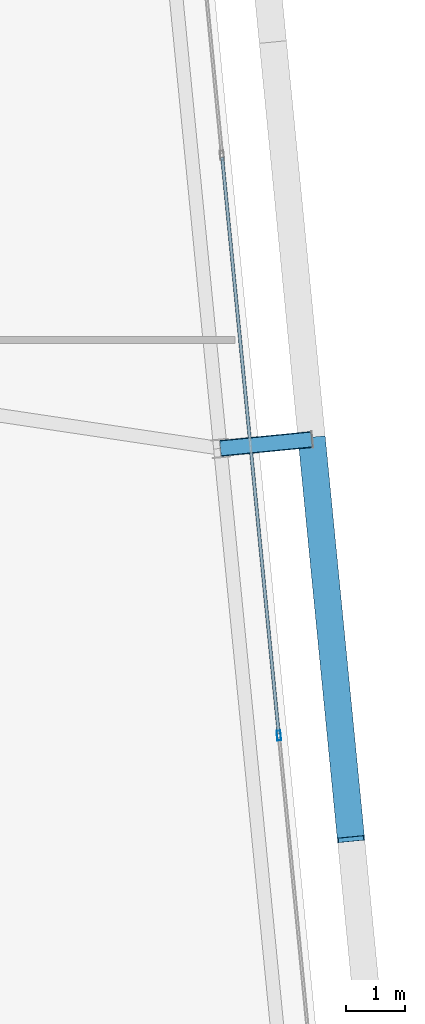
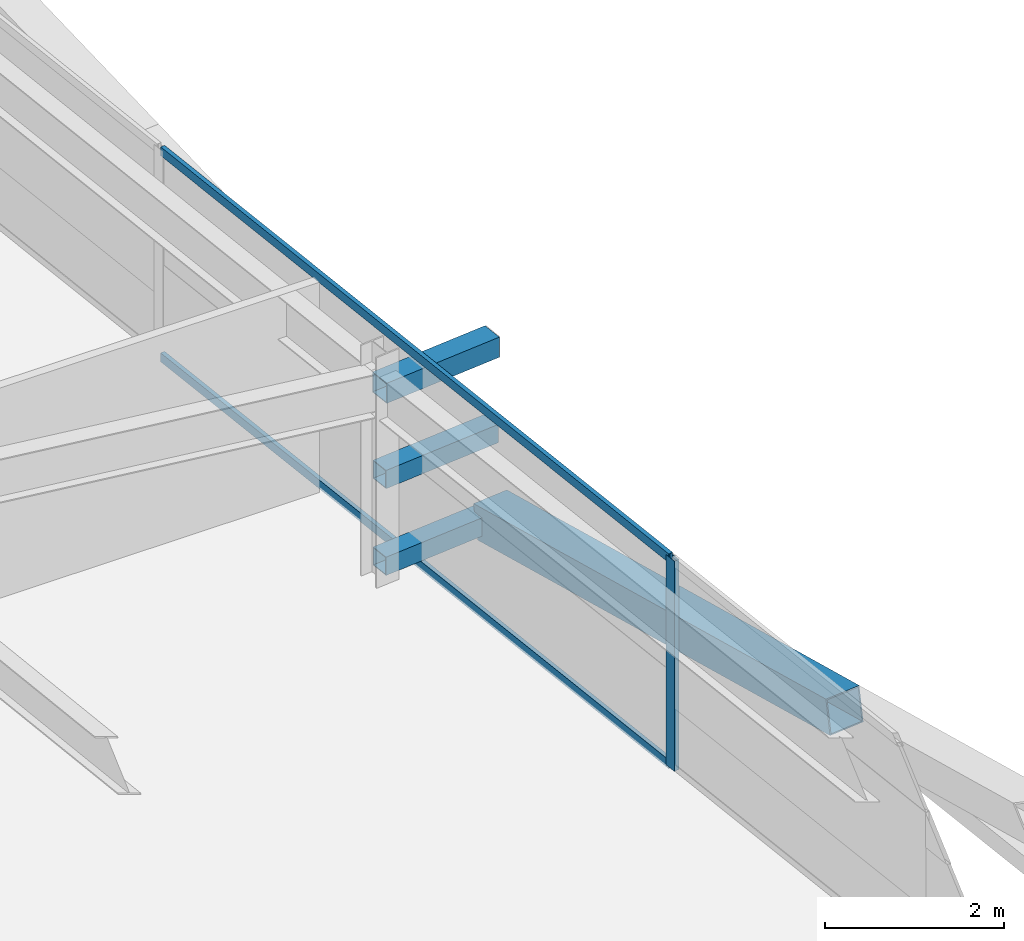
# One storey, part 21 of 47: 7 members, 1 element without a shape of its own.
"""IFC4 building model written with IfcOpenShell, lengths in metres."""

from ifc_helpers import new_model, si_unit, direction, frame, origin, origin_2d, place, context, subcontext, project, spatial, hollow_rectangle, extrude, source, transform, mapped, material, layer, layer_set, material_profile, profile_set, type_object, element, aggregate, save


model = new_model("IFC4")

# Units and contexts
model_context = context("Model", 3, precision=1e-05, world=origin(), true_north=direction((0.0, 1.0)))
body_context = subcontext(model_context, "Body", "Model", "MODEL_VIEW")
ifc_project = project(units=[si_unit("LENGTHUNIT", "METRE"), si_unit("AREAUNIT", "SQUARE_METRE"), si_unit("VOLUMEUNIT", "CUBIC_METRE"), si_unit("PLANEANGLEUNIT", "RADIAN"), si_unit("MASSUNIT", "GRAM", prefix="KILO")], contexts=[model_context])

# Site, building, storey
site_placement = place(None, origin())
site = spatial("IfcSite", under=ifc_project, at=site_placement, CompositionType="ELEMENT")
building_placement = place(site_placement, origin())
building = spatial("IfcBuilding", under=site, at=building_placement, Name="Taldren Reach Tower", CompositionType="ELEMENT")
storey_placement = place(building_placement, frame((0.0, 0.0, 109.199951171875)))
storey = spatial("IfcBuildingStorey", under=building, at=storey_placement, Name="L33", CompositionType="ELEMENT", Elevation=109.199951171875)

# Members
ifc_material_1 = material(Name="Steel Gr 450 (C450L0)", Category="steel")
ifc_material_profile_1 = material_profile(ifc_material_1, hollow_rectangle(XDim=0.27490234375, YDim=0.27490234375, WallThickness=0.00927734375, at=origin_2d()), Name="275x275x9.3SHS")
ifc_profile_set_1 = profile_set([ifc_material_profile_1], Name="Steel Gr 450 (C450L0)")
member_type_1 = type_object("IfcMemberType", Name="MB-TIE273", PredefinedType="STRUT", material=ifc_profile_set_1)
shared_shape_1 = source(origin(), body_context, "Body", "SweptSolid", [
    extrude(hollow_rectangle(XDim=0.27490234375, YDim=0.27490234375, WallThickness=0.00927734375, at=origin_2d()), origin(), (0.0, 0.0, 1.0), 1.5498046875),
])
member_1_placement = place(storey_placement, frame((64.569580078125, 21.968994140625, 2.590087890625), z_axis=(0.995234821595, 0.097507178627, 0.0), x_axis=(-0.097507178627, 0.995234821595, 0.0)))
element("IfcMember", 1, at=member_1_placement, inside=storey, type_object=member_type_1, Name="Exoskeleton diaphragm tie strut B2-E2 L33", PredefinedType="STRUT", context=body_context, shape_type="MappedRepresentation", body=[
    mapped(shared_shape_1, transform((0.0, 0.0, 0.0), scale=1.0)),
])
ifc_material_2 = material(Name="Steel Gr 350 (C350L0)", Category="steel")
ifc_material_profile_2 = material_profile(ifc_material_2, hollow_rectangle(XDim=0.25, YDim=0.25, WallThickness=0.010009765625, at=origin_2d()), Name="250x250x10.0SHS")
ifc_profile_set_2 = profile_set([ifc_material_profile_2], Name="Steel Gr 350 (C350L0)")
member_type_2 = type_object("IfcMemberType", Name="MB-POST250", PredefinedType="POST", material=ifc_profile_set_2)
shared_shape_2 = source(origin(), body_context, "Body", "SweptSolid", [
    extrude(hollow_rectangle(XDim=0.25, YDim=0.25, WallThickness=0.010009765625, at=origin_2d()), origin(), (0.0, 0.0, 1.0), 1.5498046875),
])
for number, where, z_axis, x_axis, name in (
    (2, (64.569580078125, 21.968994140625, 0.219970703125), (0.995234821595, 0.097507178627, 0.0), (-0.097507178627, 0.995234821595, 0.0), "Exoskeleton base diaphragm tie strut B2-E2 L33"),
    (3, (64.569580078125, 21.968994140625, 1.405029296875), (0.995234821595, 0.097507178627, 0.0), (-0.097507178627, 0.995234821595, 0.0), "Exoskeleton mid-tier diaphragm tie B2-E2 L33"),
):
    element("IfcMember", number, at=place(storey_placement, frame(where, z_axis=z_axis, x_axis=x_axis)), inside=storey, type_object=member_type_2, Name=name, PredefinedType="POST", context=body_context, shape_type="MappedRepresentation", body=[
        mapped(shared_shape_2, transform((0.0, 0.0, 0.0), scale=1.0)),
    ])
ifc_material_profile_3 = material_profile(ifc_material_1, hollow_rectangle(XDim=0.4599609375, YDim=0.4599609375, WallThickness=0.01611328125, at=origin_2d()), Name="460x460x16.0SHS")
ifc_profile_set_3 = profile_set([ifc_material_profile_3], Name="Steel Gr 450 (C450L0)")
member_type_3 = type_object("IfcMemberType", Name="MB-EXO457", PredefinedType="BRACE", material=ifc_profile_set_3)
shared_shape_3 = source(origin(), body_context, "Body", "SweptSolid", [
    extrude(hollow_rectangle(XDim=0.4599609375, YDim=0.4599609375, WallThickness=0.01611328125, at=origin_2d()), origin(), (0.0, 0.0, 1.0), 6.8779296875),
])
member_2_placement = place(storey_placement, frame((66.112060546875, 22.1201171875, 0.219970703125), z_axis=(0.096124602974, -0.980343162824, 0.172300156143), x_axis=(0.995227290009, 0.097584021339, 0.0)))
element("IfcMember", 4, at=member_2_placement, inside=storey, type_object=member_type_3, Name="Exoskeleton Diagrid Brace B2-E1 L33", PredefinedType="BRACE", context=body_context, shape_type="MappedRepresentation", body=[
    mapped(shared_shape_3, transform((0.0, 0.0, 0.0), scale=1.0)),
])

# Curtain wall, members
ifc_material_3 = material(Name="Aluminium and Low-E Glass Unitised System", Category="aluminium")
ifc_layer = layer(ifc_material_3, 0.159912109375)
ifc_layer_set = layer_set([ifc_layer], Name="Aluminium and Low-E Glass Unitised System")
curtain_wall_type = type_object("IfcCurtainWallType", Name="CW-SYS-3", PredefinedType="NOTDEFINED", material=ifc_layer_set)
curtain_wall_placement = place(storey_placement, origin())
curtain_wall = element("IfcCurtainWall", 5, at=curtain_wall_placement, inside=storey, type_object=curtain_wall_type, Name="Unitised curtain wall CW-L33-E", PredefinedType="NOTDEFINED")
ifc_material_4 = material(Name="Anodised Aluminium 6063-T6", Category="aluminium")
ifc_material_profile_4 = material_profile(ifc_material_4, hollow_rectangle(XDim=0.06494140625, YDim=0.1650390625, WallThickness=0.00390625, at=origin_2d()), Name="ALU-165x65x4RHS")
ifc_profile_set_4 = profile_set([ifc_material_profile_4], Name="Anodised Aluminium 6063-T6")
member_type_4 = type_object("IfcMemberType", Name="CW-MUL-165", PredefinedType="MULLION", material=ifc_profile_set_4)
shared_shape_4 = source(origin(), body_context, "Body", "SweptSolid", [
    extrude(hollow_rectangle(XDim=0.06494140625, YDim=0.1650390625, WallThickness=0.00390625, at=origin_2d()), origin(), (0.0, 0.0, 1.0), 2.8701171875),
])
member_3_placement = place(storey_placement, frame((65.556884765625, 17.12548828125, 0.0), z_axis=(0.0, 0.0, 1.0), x_axis=(-0.99522741555, -0.09758274098, 0.0)))
member_3 = element("IfcMember", 6, at=member_3_placement, type_object=member_type_4, Name="CW-3 mullion 2", PredefinedType="MULLION", context=body_context, shape_type="MappedRepresentation", body=[
    mapped(shared_shape_4, transform((0.0, 0.0, 0.0), scale=1.0)),
])
ifc_material_profile_5 = material_profile(ifc_material_4, hollow_rectangle(XDim=0.054931640625, YDim=0.1201171875, WallThickness=0.0029296875, at=origin_2d()), Name="ALU-120x55x3RHS")
ifc_profile_set_5 = profile_set([ifc_material_profile_5], Name="Anodised Aluminium 6063-T6")
member_type_5 = type_object("IfcMemberType", Name="CW-TRN-135", PredefinedType="USERDEFINED", material=ifc_profile_set_5)
shared_shape_5 = source(origin(), body_context, "Body", "SweptSolid", [
    extrude(hollow_rectangle(XDim=0.054931640625, YDim=0.1201171875, WallThickness=0.0029296875, at=origin_2d()), origin(), (0.0, 0.0, 1.0), 9.768310546875),
])
member_4_placement = place(storey_placement, frame((65.5537109375, 17.15771484375, 0.027587890625), z_axis=(-0.097598120756, 0.995225907432, 0.0), x_axis=(-0.995225907432, -0.097598120756, 0.0)))
member_4 = element("IfcMember", 7, at=member_4_placement, type_object=member_type_5, Name="CW-3 transom 2.1", ObjectType="TRANSOM", PredefinedType="USERDEFINED", context=body_context, shape_type="MappedRepresentation", body=[
    mapped(shared_shape_5, transform((0.0, 0.0, 0.0), scale=1.0)),
])
member_5_placement = place(storey_placement, frame((65.5537109375, 17.15771484375, 2.842529296875), z_axis=(-0.097598120756, 0.995225907432, 0.0), x_axis=(-0.995225907432, -0.097598120756, 0.0)))
member_5 = element("IfcMember", 8, at=member_5_placement, type_object=member_type_5, Name="CW-3 transom 2.2", ObjectType="TRANSOM", PredefinedType="USERDEFINED", context=body_context, shape_type="MappedRepresentation", body=[
    mapped(shared_shape_5, transform((0.0, 0.0, 0.0), scale=1.0)),
])
aggregate(curtain_wall, [member_3, member_4, member_5])

save(model, "model.ifc")
